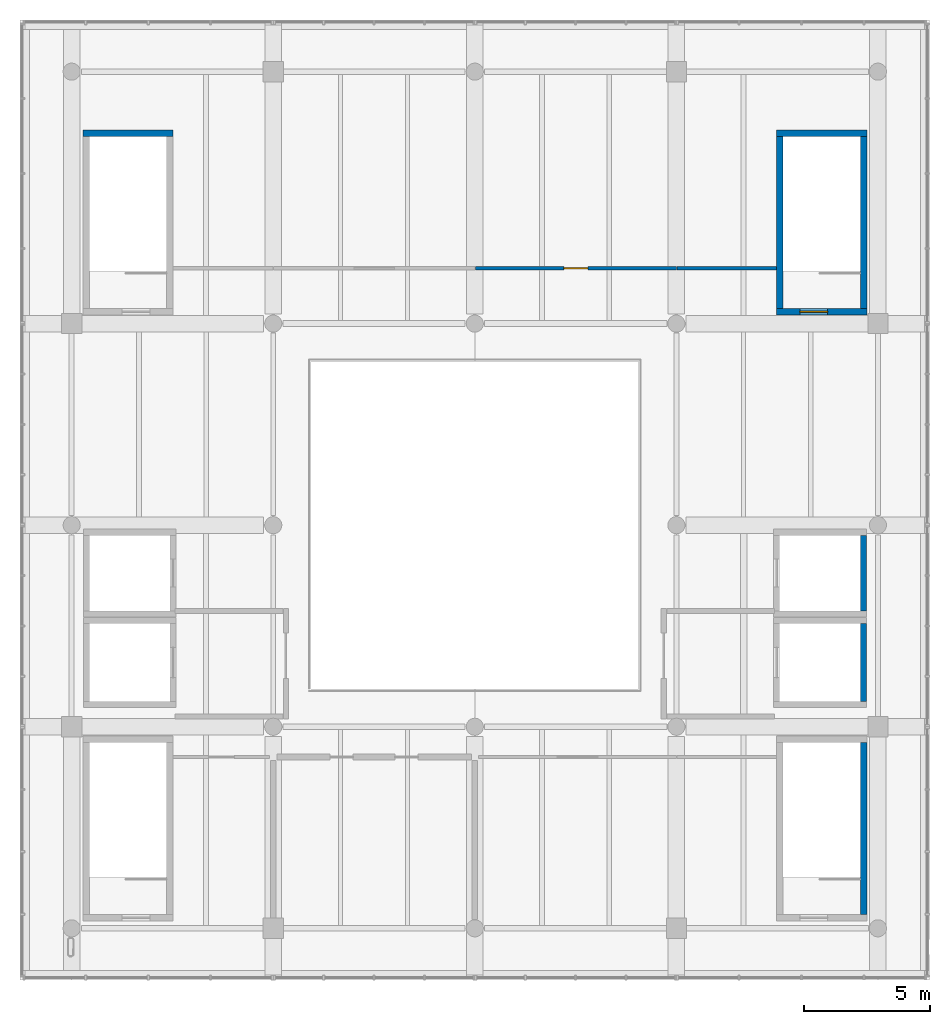
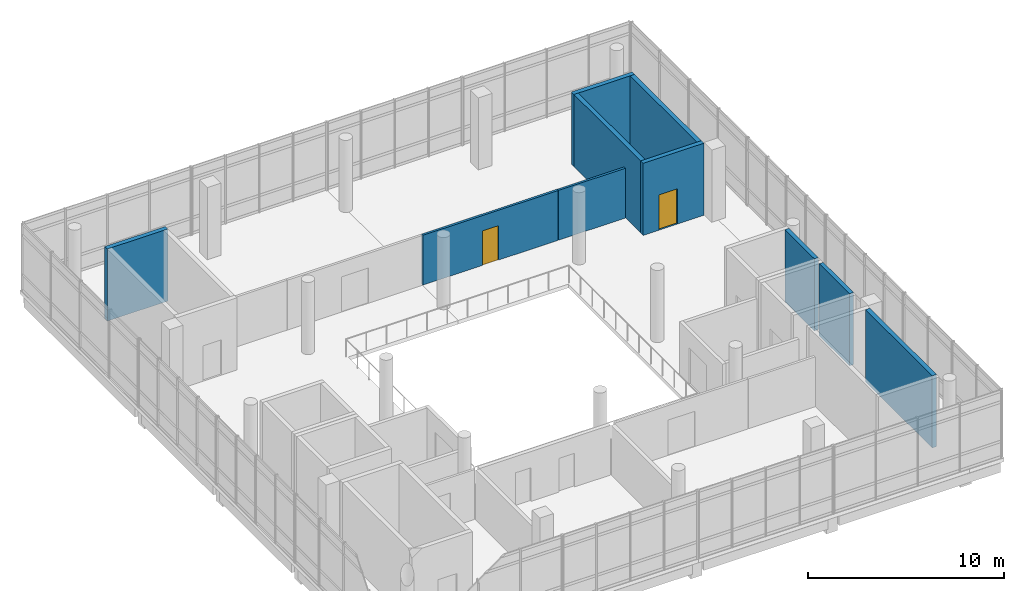
# One storey, part 14 of 15: 10 walls, 2 doors, 2 openings.
"""IFC4 building model written with IfcOpenShell, lengths in metres."""

from ifc_helpers import new_model, si_unit, direction, frame, frame_2d, origin, place, context, subcontext, project, spatial, rectangle, extrude, material, layer, layer_set, type_object, element, fill, save


model = new_model("IFC4")

# Units and contexts
model_context = context("Model", 3, precision=1e-05, world=origin(), true_north=direction((0.0, 1.0)))
body_context = subcontext(model_context, "Body", "Model", "MODEL_VIEW")
ifc_project = project(units=[si_unit("LENGTHUNIT", "METRE"), si_unit("AREAUNIT", "SQUARE_METRE"), si_unit("VOLUMEUNIT", "CUBIC_METRE"), si_unit("PLANEANGLEUNIT", "RADIAN"), si_unit("MASSUNIT", "GRAM", prefix="KILO")], contexts=[model_context])

# Site, building, storey
site_placement = place(None, origin())
site = spatial("IfcSite", under=ifc_project, at=site_placement, CompositionType="ELEMENT")
building_placement = place(site_placement, origin())
building = spatial("IfcBuilding", under=site, at=building_placement, Name="Pecanmere Concourse Central Library", CompositionType="ELEMENT")
storey_placement = place(building_placement, frame((0.0, 0.0, 30.300048828125)))
storey = spatial("IfcBuildingStorey", under=building, at=storey_placement, Name="L07", CompositionType="ELEMENT", Elevation=30.300048828125)

# Wall, opening, door
ifc_material_1 = material(Name="Fire-rated gypsum board on acoustic steel stud", Category="steel")
ifc_layer_1 = layer(ifc_material_1, 0.135009765625, Name="IW_PART_135")
ifc_layer_set_1 = layer_set([ifc_layer_1], Name="Fire-rated gypsum board on acoustic steel stud")
wall_type_1 = type_object("IfcWallType", Name="IW_PART_135", PredefinedType="PARTITIONING", material=ifc_layer_set_1)
wall_1_placement = place(storey_placement, frame((88.02001953125, 116.199951171875, 0.0), z_axis=(0.0, 0.0, 1.0), x_axis=(1.0, 0.0, 0.0)))
wall_1 = element("IfcWall", 1, at=wall_1_placement, inside=storey, type_object=wall_type_1, Name="Interior Partition L07-0234", PredefinedType="PARTITIONING", context=body_context, shape_type="SweptSolid", body=[
    extrude(rectangle(XDim=7.97998046875, YDim=0.135009765625, at=frame_2d((3.989990234375, 0.0))), origin(), (0.0, 0.0, 1.0), 3.10986328125),
])
opening_1_placement = place(wall_1_placement, frame((3.514892578125, 0.0, 0.0)))
opening_1 = element("IfcOpeningElement", 2, at=opening_1_placement, cuts=wall_1, Name="Opening DT-06", PredefinedType="OPENING", context=body_context, shape_type="SweptSolid", body=[
    extrude(rectangle(XDim=0.949951171875, YDim=2.14990234375, at=frame_2d((0.47509765625, 1.074951171875))), frame((0.0, 0.07958984375, 0.0), z_axis=(0.0, -1.0, 0.0), x_axis=(1.0, 0.0, 0.0)), (0.0, 0.0, 1.0), 0.158935546875),
])
ifc_material_2 = material(Name="Solid white oak architectural joinery")
door_type_1 = type_object("IfcDoorType", Name="DT-06", OperationType="SINGLE_SWING_RIGHT", PredefinedType="DOOR", material=ifc_material_2)
door_1_placement = place(opening_1_placement, origin())
door_1 = element("IfcDoor", 3, at=door_1_placement, inside=storey, type_object=door_type_1, Name="D-246", OperationType="SINGLE_SWING_RIGHT", OverallHeight=2.14990234375, OverallWidth=0.949951171875, PredefinedType="DOOR", context=body_context, shape_type="SweptSolid", body=[
    extrude(rectangle(XDim=0.949951171875, YDim=2.14990234375, at=frame_2d((0.47509765625, 1.074951171875))), frame((0.0, 0.02490234375, 0.0), z_axis=(0.0, -1.0, 0.0), x_axis=(1.0, 0.0, 0.0)), (0.0, 0.0, 1.0), 0.050048828125),
])
fill(opening_1, door_1)

# Walls
wall_2_placement = place(storey_placement, frame((96.02001953125, 116.199951171875, 0.0), z_axis=(0.0, 0.0, 1.0), x_axis=(1.0, 0.0, 0.0)))
element("IfcWall", 4, at=wall_2_placement, inside=storey, type_object=wall_type_1, Name="Interior Partition L07-0235", PredefinedType="PARTITIONING", context=body_context, shape_type="SweptSolid", body=[
    extrude(rectangle(XDim=3.949951171875, YDim=0.135009765625, at=frame_2d((1.97509765625, 0.0))), origin(), (0.0, 0.0, 1.0), 3.10986328125),
])
ifc_material_3 = material(Name="Concrete C40/50", Category="concrete")
ifc_layer_2 = layer(ifc_material_3, 0.239990234375, Name="WALL_SLD_240")
ifc_layer_set_2 = layer_set([ifc_layer_2], Name="Concrete C40/50")
wall_type_2 = type_object("IfcWallType", Name="WALL_SLD_240", PredefinedType="SOLIDWALL", material=ifc_layer_set_2)
wall_3_placement = place(storey_placement, frame((103.419921875, 99.0, 0.0), z_axis=(0.0, 0.0, 1.0), x_axis=(0.0, 1.0, 0.0)))
element("IfcWall", 5, at=wall_3_placement, inside=storey, type_object=wall_type_2, Name="Hoistway Wall LF-02 L07-E", PredefinedType="SOLIDWALL", context=body_context, shape_type="SweptSolid", body=[
    extrude(rectangle(XDim=3.10009765625, YDim=0.239990234375, at=frame_2d((1.550048828125, 0.0))), origin(), (0.0, 0.0, 1.0), 4.5),
])
wall_4_placement = place(storey_placement, frame((103.419921875, 102.60009765625, 0.0), z_axis=(0.0, 0.0, 1.0), x_axis=(0.0, 1.0, 0.0)))
element("IfcWall", 6, at=wall_4_placement, inside=storey, type_object=wall_type_2, Name="Hoistway Wall LP-02 L07-E", PredefinedType="SOLIDWALL", context=body_context, shape_type="SweptSolid", body=[
    extrude(rectangle(XDim=3.0, YDim=0.239990234375, at=frame_2d((1.5, 0.0))), origin(), (0.0, 0.0, 1.0), 4.5),
])
ifc_material_4 = material(Name="Concrete C40/50", Category="concrete")
ifc_layer_3 = layer(ifc_material_4, 0.260009765625, Name="WALL_SLD_260")
ifc_layer_set_3 = layer_set([ifc_layer_3], Name="Concrete C40/50")
wall_type_3 = type_object("IfcWallType", Name="WALL_SLD_260", PredefinedType="SOLIDWALL", material=ifc_layer_set_3)
wall_5_placement = place(storey_placement, frame((103.429931640625, 90.550048828125, 0.0), z_axis=(0.0, 0.0, 1.0), x_axis=(0.0, 1.0, 0.0)))
element("IfcWall", 7, at=wall_5_placement, inside=storey, type_object=wall_type_3, Name="Core C2 E Wall L07", PredefinedType="SOLIDWALL", context=body_context, shape_type="SweptSolid", body=[
    extrude(rectangle(XDim=6.820068359375, YDim=0.260009765625, at=frame_2d((3.41015625, 0.0))), origin(), (0.0, 0.0, 1.0), 4.5),
])
wall_6_placement = place(storey_placement, frame((72.43994140625, 121.550048828125, 0.0), z_axis=(0.0, 0.0, 1.0), x_axis=(1.0, 0.0, 0.0)))
element("IfcWall", 8, at=wall_6_placement, inside=storey, type_object=wall_type_3, Name="Core C3 North Wall L07", PredefinedType="SOLIDWALL", context=body_context, shape_type="SweptSolid", body=[
    extrude(rectangle(XDim=3.580078125, YDim=0.260009765625, at=frame_2d((1.7900390625, 0.0))), origin(), (0.0, 0.0, 1.0), 4.5),
])

# Wall, opening, door
wall_7_placement = place(storey_placement, frame((99.97998046875, 114.469970703125, 0.0), z_axis=(0.0, 0.0, 1.0), x_axis=(1.0, 0.0, 0.0)))
wall_7 = element("IfcWall", 9, at=wall_7_placement, inside=storey, type_object=wall_type_3, Name="Core C4 South Wall L07", PredefinedType="SOLIDWALL", context=body_context, shape_type="SweptSolid", body=[
    extrude(rectangle(XDim=3.580078125, YDim=0.260009765625, at=frame_2d((1.7900390625, 0.0))), origin(), (0.0, 0.0, 1.0), 4.5),
])
opening_2_placement = place(wall_7_placement, frame((0.919921875, 0.0, 0.0)))
opening_2 = element("IfcOpeningElement", 10, at=opening_2_placement, cuts=wall_7, Name="Opening FD-02", PredefinedType="OPENING", context=body_context, shape_type="SweptSolid", body=[
    extrude(rectangle(XDim=1.10009765625, YDim=2.199951171875, at=frame_2d((0.550048828125, 1.10009765625))), frame((0.0, 0.14208984375, 0.0), z_axis=(0.0, -1.0, 0.0), x_axis=(1.0, 0.0, 0.0)), (0.0, 0.0, 1.0), 0.283935546875),
])
ifc_material_5 = material(Name="Painted architectural steel ASTM A36", Category="steel")
door_type_2 = type_object("IfcDoorType", Name="FD-02", OperationType="SINGLE_SWING_RIGHT", PredefinedType="DOOR", material=ifc_material_5)
door_2_placement = place(opening_2_placement, origin())
door_2 = element("IfcDoor", 11, at=door_2_placement, inside=storey, type_object=door_type_2, Name="D-032", OperationType="SINGLE_SWING_RIGHT", OverallHeight=2.199951171875, OverallWidth=1.10009765625, PredefinedType="DOOR", context=body_context, shape_type="SweptSolid", body=[
    extrude(rectangle(XDim=1.10009765625, YDim=2.199951171875, at=frame_2d((0.550048828125, 1.10009765625))), frame((0.0, 0.02490234375, 0.0), z_axis=(0.0, -1.0, 0.0), x_axis=(1.0, 0.0, 0.0)), (0.0, 0.0, 1.0), 0.050048828125),
])
fill(opening_2, door_2)

# Walls
wall_8_placement = place(storey_placement, frame((99.97998046875, 121.550048828125, 0.0), z_axis=(0.0, 0.0, 1.0), x_axis=(1.0, 0.0, 0.0)))
element("IfcWall", 12, at=wall_8_placement, inside=storey, type_object=wall_type_3, Name="Core C4 North Wall L07", PredefinedType="SOLIDWALL", context=body_context, shape_type="SweptSolid", body=[
    extrude(rectangle(XDim=3.580078125, YDim=0.260009765625, at=frame_2d((1.7900390625, 0.0))), origin(), (0.0, 0.0, 1.0), 4.5),
])
for number, where, z_axis, x_axis, name in (
    (13, (100.110107421875, 114.60009765625, 0.0), (0.0, 0.0, 1.0), (0.0, 1.0, 0.0), "Core C4 W Wall L07"),
    (14, (103.429931640625, 114.60009765625, 0.0), (0.0, 0.0, 1.0), (0.0, 1.0, 0.0), "Core C4 E Wall L07"),
):
    element("IfcWall", number, at=place(storey_placement, frame(where, z_axis=z_axis, x_axis=x_axis)), inside=storey, type_object=wall_type_3, Name=name, PredefinedType="SOLIDWALL", context=body_context, shape_type="SweptSolid", body=[
        extrude(rectangle(XDim=6.81982421875, YDim=0.260009765625, at=frame_2d((3.409912109375, 0.0))), origin(), (0.0, 0.0, 1.0), 4.5),
    ])

save(model, "model.ifc")
